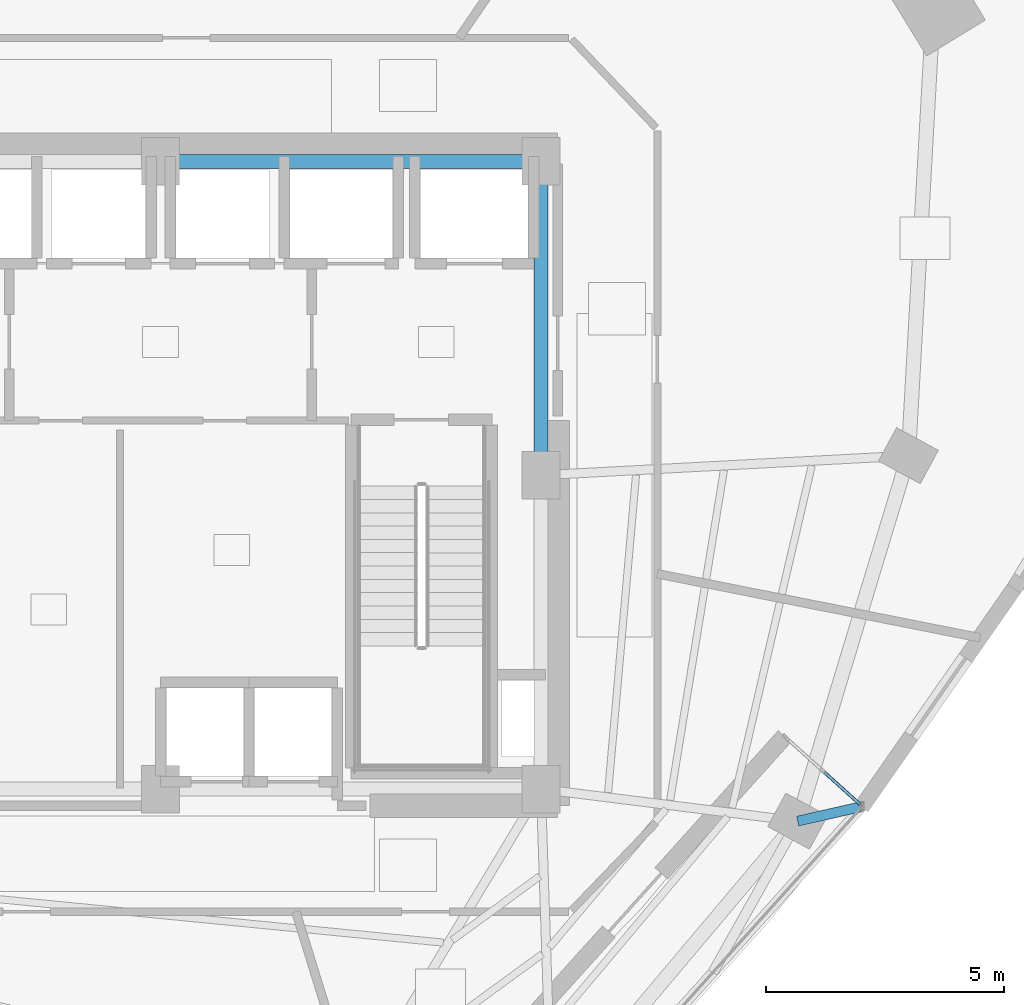
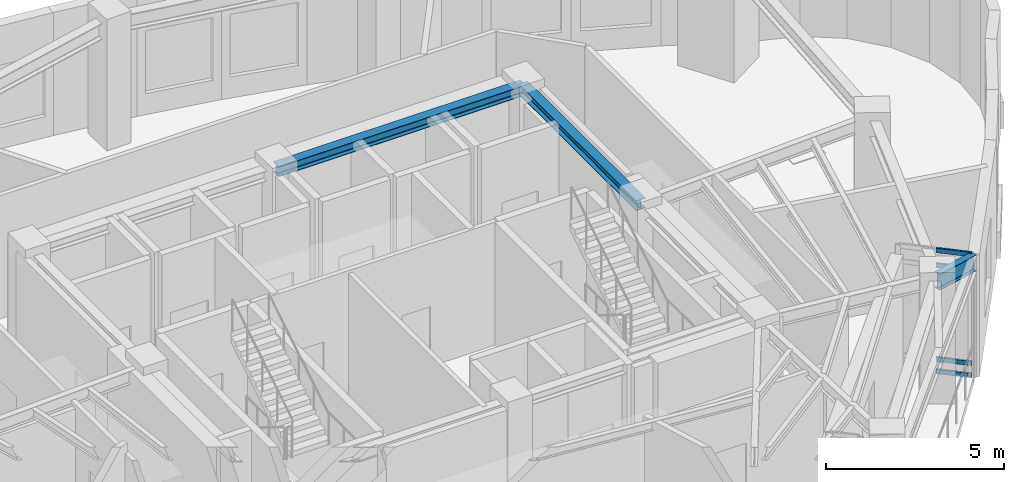
# One storey, part 9 of 18: 4 members, 3 beams, 1 element without a shape of its own.
"""IFC4 building model written with IfcOpenShell, lengths in metres."""

from ifc_helpers import new_model, si_unit, direction, frame, origin, origin_2d, place, context, subcontext, project, spatial, hollow_rectangle, i_section, extrude, material, layer, layer_set, material_profile, profile_set, type_object, element, aggregate, save


model = new_model("IFC4")

# Units and contexts
model_context = context("Model", 3, precision=1e-05, world=origin(), true_north=direction((0.0, 1.0)))
body_context = subcontext(model_context, "Body", "Model", "MODEL_VIEW")
ifc_project = project(units=[si_unit("LENGTHUNIT", "METRE"), si_unit("AREAUNIT", "SQUARE_METRE"), si_unit("VOLUMEUNIT", "CUBIC_METRE"), si_unit("PLANEANGLEUNIT", "RADIAN"), si_unit("MASSUNIT", "GRAM", prefix="KILO")], contexts=[model_context])

# Site, building, storey
site_placement = place(None, origin())
site = spatial("IfcSite", under=ifc_project, at=site_placement, CompositionType="ELEMENT")
building_placement = place(site_placement, origin())
building = spatial("IfcBuilding", under=site, at=building_placement, Name="Ndelora Gate Hotel", CompositionType="ELEMENT")
storey_placement = place(building_placement, frame((0.0, 0.0, 173.75)))
storey = spatial("IfcBuildingStorey", under=building, at=storey_placement, Name="L43", CompositionType="ELEMENT", Elevation=173.75)

# Beams
ifc_material_1 = material(Name="Steel S355", Category="steel")
ifc_material_profile_1 = material_profile(ifc_material_1, i_section(OverallWidth=0.300048828125, OverallDepth=0.35009765625, WebThickness=0.010009765625, FlangeThickness=0.017578125, FilletRadius=0.027099609375, at=origin_2d()), Name="HEA 360")
ifc_profile_set_1 = profile_set([ifc_material_profile_1], Name="Steel S355")
beam_type_1 = type_object("IfcBeamType", Name="BM-CORE-350", PredefinedType="BEAM", material=ifc_profile_set_1)
beam_1_placement = place(storey_placement, frame((0.0, 6.60009765625, 4.034912109375), z_axis=(1.0, 0.0, 0.0), x_axis=(0.0, 1.0, 0.0)))
element("IfcBeam", 1, at=beam_1_placement, inside=storey, type_object=beam_type_1, Name="L43 Core Tie Girder CC6-CC5", PredefinedType="BEAM", context=body_context, shape_type="SweptSolid", body=[
    extrude(i_section(OverallWidth=0.300048828125, OverallDepth=0.35009765625, WebThickness=0.010009765625, FlangeThickness=0.017578125, FilletRadius=0.027099609375, at=origin_2d()), origin(), (0.0, 0.0, 1.0), 8.0),
])
beam_2_placement = place(storey_placement, frame((8.0, 0.0, 4.034912109375), z_axis=(0.0, 1.0, 0.0), x_axis=(-1.0, 0.0, 0.0)))
element("IfcBeam", 2, at=beam_2_placement, inside=storey, type_object=beam_type_1, Name="L43 Core Tie Girder CC4-CC5", PredefinedType="BEAM", context=body_context, shape_type="SweptSolid", body=[
    extrude(i_section(OverallWidth=0.300048828125, OverallDepth=0.35009765625, WebThickness=0.010009765625, FlangeThickness=0.017578125, FilletRadius=0.027099609375, at=origin_2d()), origin(), (0.0, 0.0, 1.0), 6.60009765625),
])
ifc_material_profile_2 = material_profile(ifc_material_1, i_section(OverallWidth=0.2099609375, OverallDepth=0.550048828125, WebThickness=0.010986328125, FlangeThickness=0.01708984375, FilletRadius=0.02392578125, at=origin_2d()), Name="IPE 550")
ifc_profile_set_2 = profile_set([ifc_material_profile_2], Name="Steel S355")
beam_type_2 = type_object("IfcBeamType", Name="BM-RAD-550", PredefinedType="BEAM", material=ifc_profile_set_2)
beam_3_placement = place(storey_placement, frame((13.400390625, -7.275634765625, 3.93505859375), z_axis=(0.975015792321, 0.222135554839, 0.0), x_axis=(-0.222135554839, 0.975015792321, 0.0)))
element("IfcBeam", 3, at=beam_3_placement, inside=storey, type_object=beam_type_2, Name="L43 Sky-Garden Loggia Column Bracket 3", PredefinedType="BEAM", context=body_context, shape_type="SweptSolid", body=[
    extrude(i_section(OverallWidth=0.2099609375, OverallDepth=0.550048828125, WebThickness=0.010986328125, FlangeThickness=0.01708984375, FilletRadius=0.02392578125, at=origin_2d()), origin(), (0.0, 0.0, 1.0), 1.394775390625),
])

# Curtain wall, members
ifc_material_2 = material(Name="Bronze Anodised Unitised Aluminium and Low-E Glass", Category="aluminium")
ifc_layer = layer(ifc_material_2, 0.199951171875)
ifc_layer_set = layer_set([ifc_layer], Name="Bronze Anodised Unitised Aluminium and Low-E Glass")
curtain_wall_type = type_object("IfcCurtainWallType", Name="CW-SYS-3", PredefinedType="NOTDEFINED", material=ifc_layer_set)
curtain_wall_placement = place(storey_placement, origin())
curtain_wall = element("IfcCurtainWall", 4, at=curtain_wall_placement, inside=storey, type_object=curtain_wall_type, Name="L43 Sky-Garden Loggia Side Curtain Wall CW3-2", PredefinedType="NOTDEFINED")
ifc_material_3 = material(Name="Bronze Anodised Aluminium 6063-T6", Category="aluminium")
ifc_material_profile_3 = material_profile(ifc_material_3, hollow_rectangle(XDim=0.06494140625, YDim=0.159912109375, WallThickness=0.00390625, InnerFilletRadius=0.00390625, OuterFilletRadius=0.008056640625, at=origin_2d()), Name="ALU 160x65x4")
ifc_profile_set_3 = profile_set([ifc_material_profile_3], Name="Bronze Anodised Aluminium 6063-T6")
member_type = type_object("IfcMemberType", Name="MB-CW-TRN150", PredefinedType="USERDEFINED", material=ifc_profile_set_3)
member_1_placement = place(storey_placement, frame((14.71630859375, -6.92626953125, 0.032470703125), z_axis=(-0.743078733375, 0.669204001786, 0.0), x_axis=(-0.669204001786, -0.743078733375, 0.0)))
member_1 = element("IfcMember", 5, at=member_1_placement, type_object=member_type, Name="CW3 transom 1.1", ObjectType="TRANSOM", PredefinedType="USERDEFINED", context=body_context, shape_type="SweptSolid", body=[
    extrude(hollow_rectangle(XDim=0.06494140625, YDim=0.159912109375, WallThickness=0.00390625, InnerFilletRadius=0.00390625, OuterFilletRadius=0.008056640625, at=origin_2d()), origin(), (0.0, 0.0, 1.0), 1.0146484375),
])
member_2_placement = place(storey_placement, frame((14.71630859375, -6.92626953125, 0.449951171875), z_axis=(-0.743078733375, 0.669204001786, 0.0), x_axis=(-0.669204001786, -0.743078733375, 0.0)))
member_2 = element("IfcMember", 6, at=member_2_placement, type_object=member_type, Name="CW3 transom 1.2", ObjectType="TRANSOM", PredefinedType="USERDEFINED", context=body_context, shape_type="SweptSolid", body=[
    extrude(hollow_rectangle(XDim=0.06494140625, YDim=0.159912109375, WallThickness=0.00390625, InnerFilletRadius=0.00390625, OuterFilletRadius=0.008056640625, at=origin_2d()), origin(), (0.0, 0.0, 1.0), 1.0146484375),
])
member_3_placement = place(storey_placement, frame((14.71630859375, -6.92626953125, 3.659912109375), z_axis=(-0.743078733375, 0.669204001786, 0.0), x_axis=(-0.669204001786, -0.743078733375, 0.0)))
member_3 = element("IfcMember", 7, at=member_3_placement, type_object=member_type, Name="CW3 transom 1.3", ObjectType="TRANSOM", PredefinedType="USERDEFINED", context=body_context, shape_type="SweptSolid", body=[
    extrude(hollow_rectangle(XDim=0.06494140625, YDim=0.159912109375, WallThickness=0.00390625, InnerFilletRadius=0.00390625, OuterFilletRadius=0.008056640625, at=origin_2d()), origin(), (0.0, 0.0, 1.0), 1.0146484375),
])
member_4_placement = place(storey_placement, frame((14.71630859375, -6.92626953125, 4.177490234375), z_axis=(-0.743078733375, 0.669204001786, 0.0), x_axis=(-0.669204001786, -0.743078733375, 0.0)))
member_4 = element("IfcMember", 8, at=member_4_placement, type_object=member_type, Name="CW3 transom 1.4", ObjectType="TRANSOM", PredefinedType="USERDEFINED", context=body_context, shape_type="SweptSolid", body=[
    extrude(hollow_rectangle(XDim=0.06494140625, YDim=0.159912109375, WallThickness=0.00390625, InnerFilletRadius=0.00390625, OuterFilletRadius=0.008056640625, at=origin_2d()), origin(), (0.0, 0.0, 1.0), 1.0146484375),
])
aggregate(curtain_wall, [member_1, member_2, member_3, member_4])

save(model, "model.ifc")
